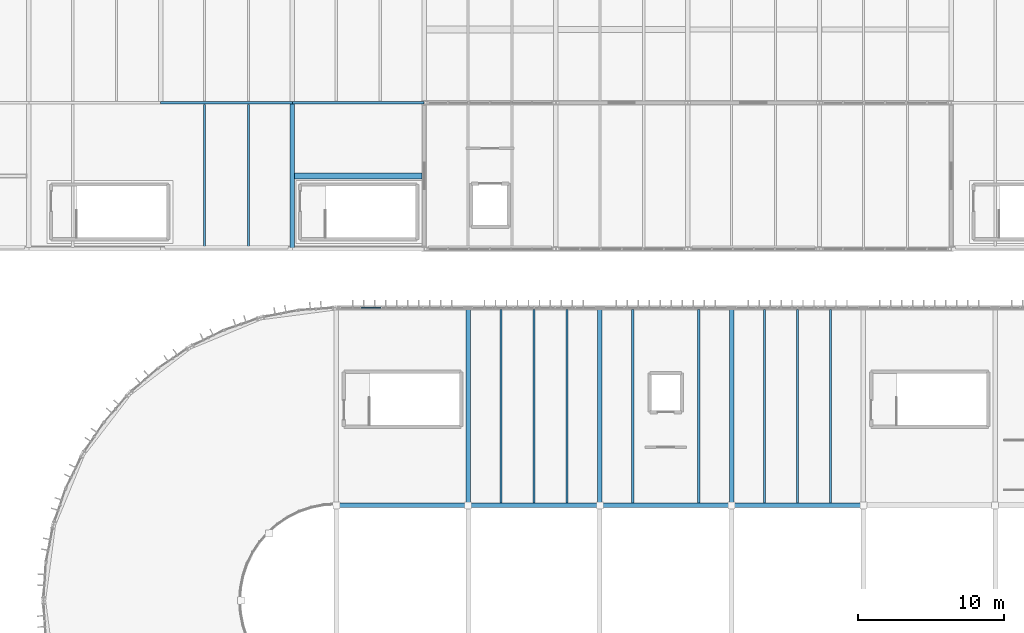
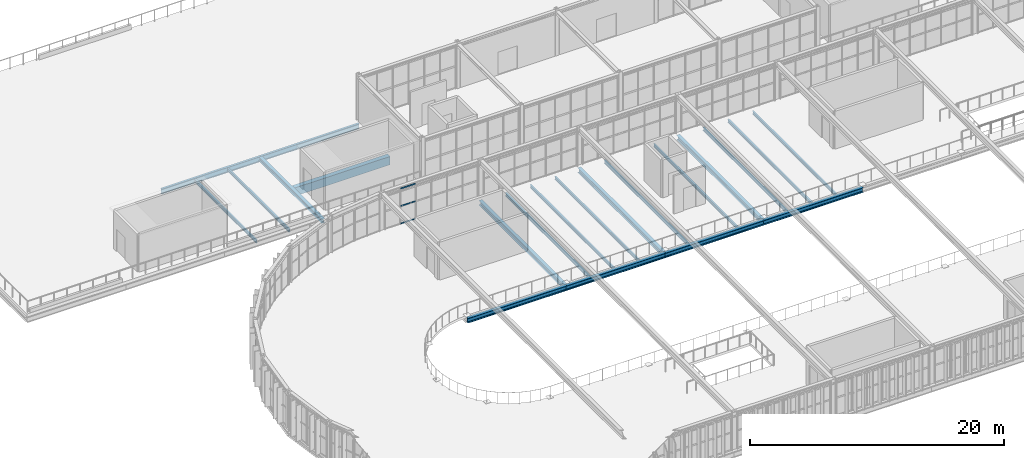
# One storey, part 57 of 152: 21 beams, 3 members, 1 element without a shape of its own.
"""IFC4 building model written with IfcOpenShell, lengths in metres."""

from ifc_helpers import new_model, si_unit, derived_unit, direction, frame, origin, origin_2d, place, context, subcontext, project, spatial, rectangle, hollow_rectangle, i_section, extrude, material, material_profile, profile_set, type_object, element, aggregate, save


model = new_model("IFC4")

# Units and contexts
model_context = context("Model", 3, precision=1e-05, world=origin(), true_north=direction((0.0, 1.0)))
body_context = subcontext(model_context, "Body", "Model", "MODEL_VIEW")
ifc_project = project(units=[si_unit("LENGTHUNIT", "METRE"), si_unit("AREAUNIT", "SQUARE_METRE"), si_unit("VOLUMEUNIT", "CUBIC_METRE"), si_unit("PLANEANGLEUNIT", "RADIAN"), si_unit("MASSUNIT", "GRAM", prefix="KILO"), si_unit("THERMODYNAMICTEMPERATUREUNIT", "KELVIN"), si_unit("TIMEUNIT", "SECOND"), derived_unit("THERMALTRANSMITTANCEUNIT", [(si_unit("MASSUNIT", "GRAM", prefix="KILO"), 1), (si_unit("THERMODYNAMICTEMPERATUREUNIT", "KELVIN"), -1), (si_unit("TIMEUNIT", "SECOND"), -3)])], contexts=[model_context])

# Site, building, storey
site_placement = place(None, origin())
site = spatial("IfcSite", under=ifc_project, at=site_placement, CompositionType="ELEMENT")
building_placement = place(site_placement, origin())
building = spatial("IfcBuilding", under=site, at=building_placement, Name="Cambertide Market Hall", CompositionType="ELEMENT")
storey_placement = place(building_placement, frame((0.0, 0.0, 5.39990234375)))
storey = spatial("IfcBuildingStorey", under=building, at=storey_placement, Name="L02", CompositionType="ELEMENT", Elevation=5.39990234375)

# Beam
ifc_material_1 = material(Name="Concrete B35", Category="concrete")
ifc_material_profile_1 = material_profile(ifc_material_1, rectangle(XDim=0.39990234375, YDim=0.800048828125, at=origin_2d()), Name="RC 400x800")
ifc_profile_set_1 = profile_set([ifc_material_profile_1], Name="Concrete B35")
beam_type_1 = type_object("IfcBeamType", Name="Concrete Girder RC 400x800", PredefinedType="BEAM", material=ifc_profile_set_1)
beam_1_placement = place(storey_placement, frame((39.157958984375, 101.0, -0.68994140625), z_axis=(1.0, 0.0, 0.0), x_axis=(0.0, 1.0, 0.0)))
element("IfcBeam", 1, at=beam_1_placement, inside=storey, type_object=beam_type_1, Name="Level 2 Beam TRIM-V2-TERR-2", PredefinedType="BEAM", context=body_context, shape_type="SweptSolid", body=[
    extrude(rectangle(XDim=0.39990234375, YDim=0.800048828125, at=origin_2d()), origin(), (0.0, 0.0, 1.0), 8.68408203125),
])

# Curtain wall, members
ifc_material_2 = material(Name="Marine Anodized Aluminium 6063-T6 AA25", Category="aluminium")
curtain_wall_type = type_object("IfcCurtainWallType", Name="Lantern Straight Upper Curtain Wall", PredefinedType="USERDEFINED", material=ifc_material_2)
curtain_wall_placement = place(storey_placement, origin())
curtain_wall = element("IfcCurtainWall", 2, at=curtain_wall_placement, inside=storey, type_object=curtain_wall_type, Name="Level 2 Curtain Wall CW-V1N-L02-1", ObjectType="UNITIZED CURTAIN WALL", PredefinedType="USERDEFINED")
ifc_material_3 = material(Name="Champagne Marine Anodized Aluminium 6063-T6 AA25", Category="aluminium")
ifc_material_profile_2 = material_profile(ifc_material_3, hollow_rectangle(XDim=0.06494140625, YDim=0.1201171875, WallThickness=0.003173828125, at=origin_2d()), Name="ALU TRANSOM 65x120")
ifc_profile_set_2 = profile_set([ifc_material_profile_2], Name="Champagne Marine Anodized Aluminium 6063-T6 AA25")
member_type = type_object("IfcMemberType", Name="Curtain Wall Transom ALU TRANSOM 65x120", PredefinedType="USERDEFINED", material=ifc_profile_set_2)
member_1_placement = place(storey_placement, frame((43.706787109375, 92.0, 0.03515625), z_axis=(1.0, 0.0, 0.0), x_axis=(0.0, 1.0, 0.0)))
member_1 = element("IfcMember", 3, at=member_1_placement, type_object=member_type, Name="CW-V1N-L02-1 Transom 1-2", ObjectType="TRANSOM", PredefinedType="USERDEFINED", context=body_context, shape_type="SweptSolid", body=[
    extrude(hollow_rectangle(XDim=0.06494140625, YDim=0.1201171875, WallThickness=0.003173828125, at=origin_2d()), origin(), (0.0, 0.0, 1.0), 1.33642578125),
])
member_2_placement = place(storey_placement, frame((43.706787109375, 92.0, 1.72509765625), z_axis=(1.0, 0.0, 0.0), x_axis=(0.0, 1.0, 0.0)))
member_2 = element("IfcMember", 4, at=member_2_placement, type_object=member_type, Name="CW-V1N-L02-1 Transom 2-2", ObjectType="TRANSOM", PredefinedType="USERDEFINED", context=body_context, shape_type="SweptSolid", body=[
    extrude(hollow_rectangle(XDim=0.06494140625, YDim=0.1201171875, WallThickness=0.003173828125, at=origin_2d()), origin(), (0.0, 0.0, 1.0), 1.33642578125),
])
member_3_placement = place(storey_placement, frame((43.706787109375, 92.0, 3.4150390625), z_axis=(1.0, 0.0, 0.0), x_axis=(0.0, 1.0, 0.0)))
member_3 = element("IfcMember", 5, at=member_3_placement, type_object=member_type, Name="CW-V1N-L02-1 Transom 3-2", ObjectType="TRANSOM", PredefinedType="USERDEFINED", context=body_context, shape_type="SweptSolid", body=[
    extrude(hollow_rectangle(XDim=0.06494140625, YDim=0.1201171875, WallThickness=0.003173828125, at=origin_2d()), origin(), (0.0, 0.0, 1.0), 1.33642578125),
])
aggregate(curtain_wall, [member_1, member_2, member_3])

# Beams
ifc_material_4 = material(Name="Steel S355", Category="steel")
ifc_material_profile_3 = material_profile(ifc_material_4, i_section(OverallWidth=0.300048828125, OverallDepth=0.39990234375, WebThickness=0.013427734375, FlangeThickness=0.02392578125, FilletRadius=0.027099609375, at=origin_2d()), Name="HEB 400")
ifc_profile_set_3 = profile_set([ifc_material_profile_3], Name="Steel S355")
beam_type_2 = type_object("IfcBeamType", Name="Steel Girder HEB 400", PredefinedType="BEAM", material=ifc_profile_set_3)
beam_2_placement = place(storey_placement, frame((39.0, 96.0, -0.489990234375), z_axis=(0.0, 1.0, 0.0), x_axis=(-1.0, 0.0, 0.0)))
element("IfcBeam", 6, at=beam_2_placement, inside=storey, type_object=beam_type_2, Name="Level 2 Beam BM-V2Y-L02-4-1", PredefinedType="BEAM", context=body_context, shape_type="SweptSolid", body=[
    extrude(i_section(OverallWidth=0.300048828125, OverallDepth=0.39990234375, WebThickness=0.013427734375, FlangeThickness=0.02392578125, FilletRadius=0.027099609375, at=origin_2d()), origin(), (0.0, 0.0, 1.0), 10.0),
])
ifc_material_5 = material(Name="Steel S355", Category="steel")
ifc_material_profile_4 = material_profile(ifc_material_5, i_section(OverallWidth=0.300048828125, OverallDepth=0.449951171875, WebThickness=0.013916015625, FlangeThickness=0.02587890625, FilletRadius=0.027099609375, at=origin_2d()), Name="HEB 450")
ifc_profile_set_4 = profile_set([ifc_material_profile_4], Name="Steel S355")
beam_type_3 = type_object("IfcBeamType", Name="Steel Girder HEB 450", PredefinedType="BEAM", material=ifc_profile_set_4)
for number, where, z_axis, x_axis, name in (
    (7, (42.0, 78.5, -0.46484375), (1.0, 0.0, 0.0), (0.0, 1.0, 0.0), "Level 2 Beam BM-V1MN-L02-1"),
    (8, (51.0, 78.5, -0.46484375), (1.0, 0.0, 0.0), (0.0, 1.0, 0.0), "Level 2 Beam BM-V1MN-L02-2"),
    (9, (60.0, 78.5, -0.46484375), (1.0, 0.0, 0.0), (0.0, 1.0, 0.0), "Level 2 Beam BM-V1MN-L02-3"),
    (10, (69.0, 78.5, -0.46484375), (1.0, 0.0, 0.0), (0.0, 1.0, 0.0), "Level 2 Beam BM-V1MN-L02-4"),
):
    element("IfcBeam", number, at=place(storey_placement, frame(where, z_axis=z_axis, x_axis=x_axis)), inside=storey, type_object=beam_type_3, Name=name, PredefinedType="BEAM", context=body_context, shape_type="SweptSolid", body=[
        extrude(i_section(OverallWidth=0.300048828125, OverallDepth=0.449951171875, WebThickness=0.013916015625, FlangeThickness=0.02587890625, FilletRadius=0.027099609375, at=origin_2d()), origin(), (0.0, 0.0, 1.0), 9.0),
    ])
for number, where, z_axis, x_axis, name in (
    (11, (51.0, 78.5, -0.46484375), (0.0, 1.0, 0.0), (-1.0, 0.0, 0.0), "Level 2 Beam BM-V1TN-L02-2"),
    (12, (60.0, 78.5, -0.46484375), (0.0, 1.0, 0.0), (-1.0, 0.0, 0.0), "Level 2 Beam BM-V1TN-L02-3"),
    (13, (69.0, 78.5, -0.46484375), (0.0, 1.0, 0.0), (-1.0, 0.0, 0.0), "Level 2 Beam BM-V1TN-L02-4"),
):
    element("IfcBeam", number, at=place(storey_placement, frame(where, z_axis=z_axis, x_axis=x_axis)), inside=storey, type_object=beam_type_3, Name=name, PredefinedType="BEAM", context=body_context, shape_type="SweptSolid", body=[
        extrude(i_section(OverallWidth=0.300048828125, OverallDepth=0.449951171875, WebThickness=0.013916015625, FlangeThickness=0.02587890625, FilletRadius=0.027099609375, at=origin_2d()), origin(), (0.0, 0.0, 1.0), 13.5),
    ])
ifc_material_6 = material(Name="Steel S355", Category="steel")
ifc_material_profile_5 = material_profile(ifc_material_6, i_section(OverallWidth=0.199951171875, OverallDepth=0.5, WebThickness=0.01025390625, FlangeThickness=0.01611328125, FilletRadius=0.02099609375, at=origin_2d()), Name="IPE 500")
ifc_profile_set_5 = profile_set([ifc_material_profile_5], Name="Steel S355")
beam_type_4 = type_object("IfcBeamType", Name="Steel Girder IPE 500", PredefinedType="BEAM", material=ifc_profile_set_5)
for number, where, z_axis, x_axis, name in (
    (14, (30.0, 106.0, -0.539794921875), (1.0, 0.0, 0.0), (0.0, 1.0, 0.0), "Level 2 Beam BM-V2X-L02-3-2"),
    (15, (39.0, 106.0, -0.539794921875), (1.0, 0.0, 0.0), (0.0, 1.0, 0.0), "Level 2 Beam BM-V2X-L02-4-2"),
):
    element("IfcBeam", number, at=place(storey_placement, frame(where, z_axis=z_axis, x_axis=x_axis)), inside=storey, type_object=beam_type_4, Name=name, PredefinedType="BEAM", context=body_context, shape_type="SweptSolid", body=[
        extrude(i_section(OverallWidth=0.199951171875, OverallDepth=0.5, WebThickness=0.01025390625, FlangeThickness=0.01611328125, FilletRadius=0.02099609375, at=origin_2d()), origin(), (0.0, 0.0, 1.0), 9.0),
    ])
ifc_material_7 = material(Name="Steel S275", Category="steel")
ifc_material_profile_6 = material_profile(ifc_material_7, i_section(OverallWidth=0.14990234375, OverallDepth=0.300048828125, WebThickness=0.007080078125, FlangeThickness=0.0107421875, FilletRadius=0.014892578125, at=origin_2d()), Name="IPE 300")
ifc_profile_set_6 = profile_set([ifc_material_profile_6], Name="Steel S275")
beam_type_5 = type_object("IfcBeamType", Name="Steel Secondary Joist IPE 300", PredefinedType="JOIST", material=ifc_profile_set_6)
for number, where, z_axis, x_axis, name in (
    (16, (53.25, 78.657958984375, -0.389892578125), (0.0, 1.0, 0.0), (-1.0, 0.0, 0.0), "Level 2 Joist JS-V1N-L02-2-1"),
    (17, (55.5, 78.657958984375, -0.389892578125), (0.0, 1.0, 0.0), (-1.0, 0.0, 0.0), "Level 2 Joist JS-V1N-L02-2-2"),
    (18, (57.75, 78.657958984375, -0.389892578125), (0.0, 1.0, 0.0), (-1.0, 0.0, 0.0), "Level 2 Joist JS-V1N-L02-2-3"),
    (19, (62.25, 78.657958984375, -0.389892578125), (0.0, 1.0, 0.0), (-1.0, 0.0, 0.0), "Level 2 Joist JS-V1N-L02-3-1"),
    (20, (66.75, 78.657958984375, -0.389892578125), (0.0, 1.0, 0.0), (-1.0, 0.0, 0.0), "Level 2 Joist JS-V1N-L02-3-3"),
    (21, (71.25, 78.657958984375, -0.389892578125), (0.0, 1.0, 0.0), (-1.0, 0.0, 0.0), "Level 2 Joist JS-V1N-L02-4-1"),
    (22, (73.5, 78.657958984375, -0.389892578125), (0.0, 1.0, 0.0), (-1.0, 0.0, 0.0), "Level 2 Joist JS-V1N-L02-4-2"),
    (23, (75.75, 78.657958984375, -0.389892578125), (0.0, 1.0, 0.0), (-1.0, 0.0, 0.0), "Level 2 Joist JS-V1N-L02-4-3"),
):
    element("IfcBeam", number, at=place(storey_placement, frame(where, z_axis=z_axis, x_axis=x_axis)), inside=storey, type_object=beam_type_5, Name=name, PredefinedType="JOIST", context=body_context, shape_type="SweptSolid", body=[
        extrude(i_section(OverallWidth=0.14990234375, OverallDepth=0.300048828125, WebThickness=0.007080078125, FlangeThickness=0.0107421875, FilletRadius=0.014892578125, at=origin_2d()), origin(), (0.0, 0.0, 1.0), 13.234130859375),
    ])
for number, where, z_axis, x_axis, name in (
    (24, (33.0, 96.10791015625, -0.43994140625), (0.0, 1.0, 0.0), (-1.0, 0.0, 0.0), "Level 2 Joist JS-V2-L02-3-1-1"),
    (25, (36.0, 96.10791015625, -0.43994140625), (0.0, 1.0, 0.0), (-1.0, 0.0, 0.0), "Level 2 Joist JS-V2-L02-3-1-2"),
):
    element("IfcBeam", number, at=place(storey_placement, frame(where, z_axis=z_axis, x_axis=x_axis)), inside=storey, type_object=beam_type_5, Name=name, PredefinedType="JOIST", context=body_context, shape_type="SweptSolid", body=[
        extrude(i_section(OverallWidth=0.14990234375, OverallDepth=0.300048828125, WebThickness=0.007080078125, FlangeThickness=0.0107421875, FilletRadius=0.014892578125, at=origin_2d()), origin(), (0.0, 0.0, 1.0), 9.7841796875),
    ])

save(model, "model.ifc")
